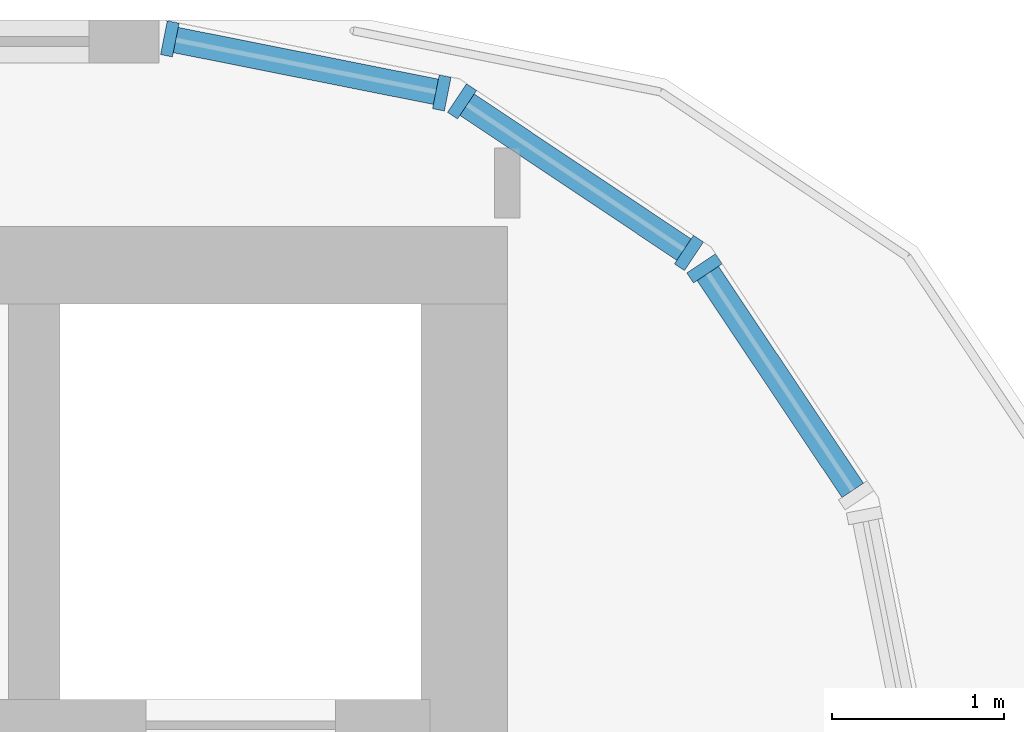
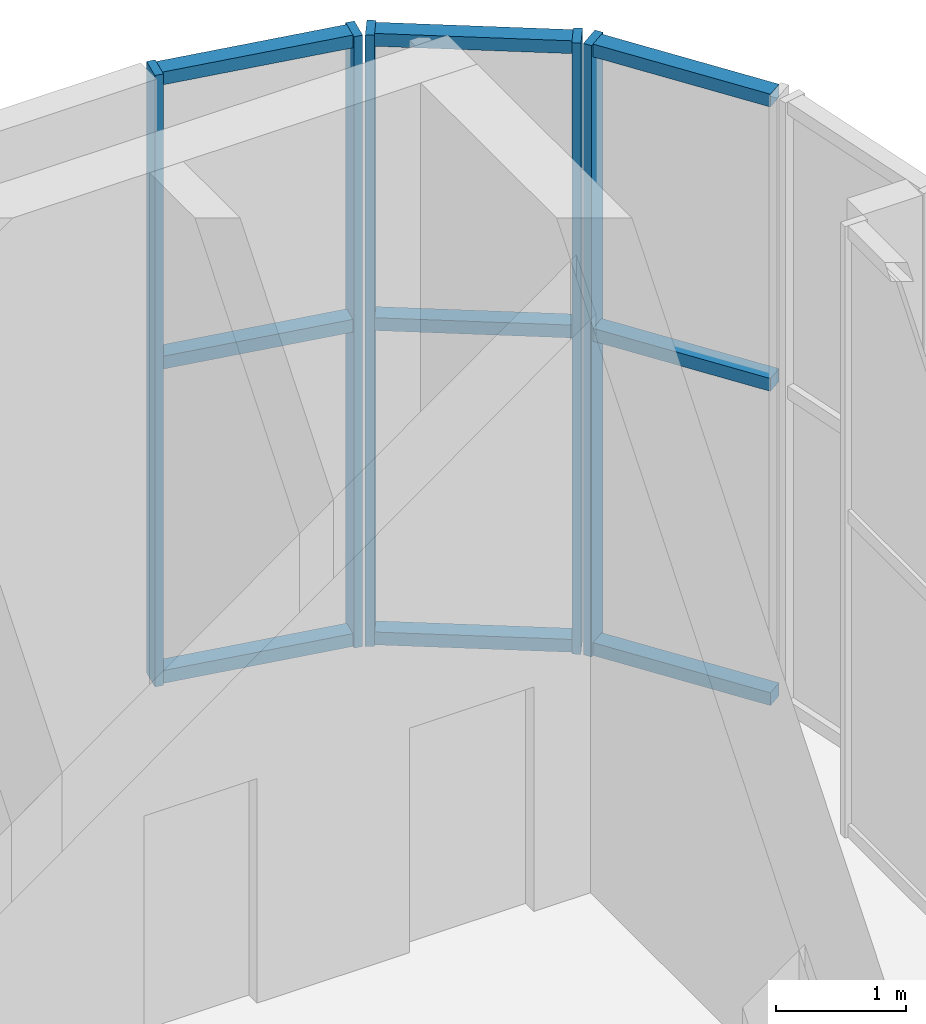
# One storey, part 7 of 20: 14 members, 3 elements without a shape of their own.
"""IFC4 building model written with IfcOpenShell, lengths in metres."""

from ifc_helpers import new_model, si_unit, direction, frame, origin, origin_2d, place, context, subcontext, project, spatial, rectangle, extrude, material, layer, layer_set, material_profile, profile_set, type_object, element, aggregate, save


model = new_model("IFC4")

# Units and contexts
model_context = context("Model", 3, precision=1e-05, world=origin(), true_north=direction((0.0, 1.0)))
body_context = subcontext(model_context, "Body", "Model", "MODEL_VIEW")
ifc_project = project(units=[si_unit("LENGTHUNIT", "METRE"), si_unit("AREAUNIT", "SQUARE_METRE"), si_unit("VOLUMEUNIT", "CUBIC_METRE"), si_unit("PLANEANGLEUNIT", "RADIAN"), si_unit("MASSUNIT", "GRAM", prefix="KILO")], contexts=[model_context])

# Site, building, storey
site_placement = place(None, origin())
site = spatial("IfcSite", under=ifc_project, at=site_placement, CompositionType="ELEMENT")
building_placement = place(site_placement, origin())
building = spatial("IfcBuilding", under=site, at=building_placement, Name="Torana Hotel and Residences", CompositionType="ELEMENT")
storey_placement = place(building_placement, frame((0.0, 0.0, 177.60009765625)))
storey = spatial("IfcBuildingStorey", under=building, at=storey_placement, Name="L46", CompositionType="ELEMENT", Elevation=177.60009765625)

# Curtain wall, member
ifc_material_1 = material(Name="Dark anodised aluminium", Category="aluminium")
ifc_layer = layer(ifc_material_1, 0.199951171875)
ifc_layer_set = layer_set([ifc_layer], Name="CW2 SKY LOBBY UNITISED CURTAIN WALL")
curtain_wall_type = type_object("IfcCurtainWallType", Name="CW2 SKY LOBBY UNITISED CURTAIN WALL", PredefinedType="NOTDEFINED", material=ifc_layer_set)
curtain_wall_1_placement = place(storey_placement, origin())
curtain_wall_1 = element("IfcCurtainWall", 1, at=curtain_wall_1_placement, inside=storey, type_object=curtain_wall_type, Name="Curtain wall CW2 L46 e0.1-1", PredefinedType="NOTDEFINED")
ifc_material_2 = material(Name="Dark anodised aluminium", Category="aluminium")
ifc_material_profile_1 = material_profile(ifc_material_2, rectangle(XDim=0.199951171875, YDim=0.070068359375, at=origin_2d()), Name="CW2 MULLION 70x200")
ifc_profile_set_1 = profile_set([ifc_material_profile_1], Name="Dark anodised aluminium")
member_type_1 = type_object("IfcMemberType", Name="CW2 MULLION 70x200", PredefinedType="MULLION", material=ifc_profile_set_1)
member_1_placement = place(storey_placement, frame((25.64599609375, -0.243896484375, 0.0), z_axis=(0.0, 0.0, 1.0), x_axis=(-0.831473968618, -0.555563713278, 0.0)))
member_1 = element("IfcMember", 2, at=member_1_placement, type_object=member_type_1, Name="CW2 mullion 2", PredefinedType="MULLION", context=body_context, shape_type="SweptSolid", body=[
    extrude(rectangle(XDim=0.199951171875, YDim=0.070068359375, at=origin_2d()), origin(), (0.0, 0.0, 1.0), 5.719970703125),
])

# Curtain wall, members
curtain_wall_2_placement = place(storey_placement, origin())
curtain_wall_2 = element("IfcCurtainWall", 3, at=curtain_wall_2_placement, inside=storey, type_object=curtain_wall_type, Name="Curtain wall CW2 L46 e0.2-1", PredefinedType="NOTDEFINED")
member_2_placement = place(storey_placement, frame((25.555908203125, -0.154052734375, 0.0), z_axis=(0.0, 0.0, 1.0), x_axis=(-0.555563713278, -0.831473968618, 0.0)))
member_2 = element("IfcMember", 4, at=member_2_placement, type_object=member_type_1, Name="CW2 mullion 1", PredefinedType="MULLION", context=body_context, shape_type="SweptSolid", body=[
    extrude(rectangle(XDim=0.199951171875, YDim=0.070068359375, at=origin_2d()), origin(), (0.0, 0.0, 1.0), 5.719970703125),
])
member_3_placement = place(storey_placement, frame((24.237060546875, 0.727294921875, 0.0), z_axis=(0.0, 0.0, 1.0), x_axis=(-0.555563713278, -0.831473968618, 0.0)))
member_3 = element("IfcMember", 5, at=member_3_placement, type_object=member_type_1, Name="CW2 mullion 2", PredefinedType="MULLION", context=body_context, shape_type="SweptSolid", body=[
    extrude(rectangle(XDim=0.199951171875, YDim=0.070068359375, at=origin_2d()), origin(), (0.0, 0.0, 1.0), 5.719970703125),
])

curtain_wall_3_placement = place(storey_placement, origin())
curtain_wall_3 = element("IfcCurtainWall", 6, at=curtain_wall_3_placement, inside=storey, type_object=curtain_wall_type, Name="Curtain wall CW2 L46 e0.3-1", PredefinedType="NOTDEFINED")
member_4_placement = place(storey_placement, frame((24.119384765625, 0.77587890625, 0.0), z_axis=(0.0, 0.0, 1.0), x_axis=(-0.195063848566, -0.980790545928, 0.0)))
member_4 = element("IfcMember", 7, at=member_4_placement, type_object=member_type_1, Name="CW2 mullion 1", PredefinedType="MULLION", context=body_context, shape_type="SweptSolid", body=[
    extrude(rectangle(XDim=0.199951171875, YDim=0.070068359375, at=origin_2d()), origin(), (0.0, 0.0, 1.0), 5.719970703125),
])
member_5_placement = place(storey_placement, frame((22.538818359375, 1.09033203125, 0.0), z_axis=(0.0, 0.0, 1.0), x_axis=(-0.195063848566, -0.980790545928, 0.0)))
member_5 = element("IfcMember", 8, at=member_5_placement, type_object=member_type_1, Name="CW2 mullion 2", PredefinedType="MULLION", context=body_context, shape_type="SweptSolid", body=[
    extrude(rectangle(XDim=0.199951171875, YDim=0.070068359375, at=origin_2d()), origin(), (0.0, 0.0, 1.0), 5.719970703125),
])

# Member
ifc_material_3 = material(Name="Dark anodised aluminium", Category="aluminium")
ifc_material_profile_2 = material_profile(ifc_material_3, rectangle(XDim=0.14990234375, YDim=0.1201171875, at=origin_2d()), Name="CW2 TRANSOM 150x120")
ifc_profile_set_2 = profile_set([ifc_material_profile_2], Name="Dark anodised aluminium")
member_type_2 = type_object("IfcMemberType", Name="CW2 TRANSOM 150x120", PredefinedType="USERDEFINED", material=ifc_profile_set_2)
member_6_placement = place(storey_placement, frame((26.5078125, -1.533935546875, 0.059814453125), z_axis=(-0.555628726357, 0.831430525328, 0.0), x_axis=(-0.831430525328, -0.555628726357, 0.0)))
member_6 = element("IfcMember", 9, at=member_6_placement, type_object=member_type_2, Name="CW2 transom 1.1", ObjectType="TRANSOM", PredefinedType="USERDEFINED", context=body_context, shape_type="SweptSolid", body=[
    extrude(rectangle(XDim=0.14990234375, YDim=0.1201171875, at=origin_2d()), origin(), (0.0, 0.0, 1.0), 1.516357421875),
])

member_7_placement = place(storey_placement, frame((26.5078125, -1.533935546875, 3.0), z_axis=(-0.555628726357, 0.831430525328, 0.0), x_axis=(-0.831430525328, -0.555628726357, 0.0)))
member_7 = element("IfcMember", 10, at=member_7_placement, type_object=member_type_2, Name="CW2 transom 1.2", ObjectType="TRANSOM", PredefinedType="USERDEFINED", context=body_context, shape_type="SweptSolid", body=[
    extrude(rectangle(XDim=0.14990234375, YDim=0.1201171875, at=origin_2d()), origin(), (0.0, 0.0, 1.0), 1.516357421875),
])

member_8_placement = place(storey_placement, frame((26.5078125, -1.533935546875, 5.659912109375), z_axis=(-0.555628726357, 0.831430525328, 0.0), x_axis=(-0.831430525328, -0.555628726357, 0.0)))
member_8 = element("IfcMember", 11, at=member_8_placement, type_object=member_type_2, Name="CW2 transom 1.3", ObjectType="TRANSOM", PredefinedType="USERDEFINED", context=body_context, shape_type="SweptSolid", body=[
    extrude(rectangle(XDim=0.14990234375, YDim=0.1201171875, at=origin_2d()), origin(), (0.0, 0.0, 1.0), 1.516357421875),
])

aggregate(curtain_wall_1, [member_1, member_6, member_7, member_8])

member_9_placement = place(storey_placement, frame((25.52685546875, -0.134521484375, 0.059814453125), z_axis=(-0.83150490354, 0.555517412319, 0.0), x_axis=(-0.555517412319, -0.83150490354, 0.0)))
member_9 = element("IfcMember", 12, at=member_9_placement, type_object=member_type_2, Name="CW2 transom 1.1", ObjectType="TRANSOM", PredefinedType="USERDEFINED", context=body_context, shape_type="SweptSolid", body=[
    extrude(rectangle(XDim=0.14990234375, YDim=0.1201171875, at=origin_2d()), origin(), (0.0, 0.0, 1.0), 1.51611328125),
])

member_10_placement = place(storey_placement, frame((25.52685546875, -0.134521484375, 3.0), z_axis=(-0.83150490354, 0.555517412319, 0.0), x_axis=(-0.555517412319, -0.83150490354, 0.0)))
member_10 = element("IfcMember", 13, at=member_10_placement, type_object=member_type_2, Name="CW2 transom 1.2", ObjectType="TRANSOM", PredefinedType="USERDEFINED", context=body_context, shape_type="SweptSolid", body=[
    extrude(rectangle(XDim=0.14990234375, YDim=0.1201171875, at=origin_2d()), origin(), (0.0, 0.0, 1.0), 1.51611328125),
])

member_11_placement = place(storey_placement, frame((25.52685546875, -0.134521484375, 5.659912109375), z_axis=(-0.83150490354, 0.555517412319, 0.0), x_axis=(-0.555517412319, -0.83150490354, 0.0)))
member_11 = element("IfcMember", 14, at=member_11_placement, type_object=member_type_2, Name="CW2 transom 1.3", ObjectType="TRANSOM", PredefinedType="USERDEFINED", context=body_context, shape_type="SweptSolid", body=[
    extrude(rectangle(XDim=0.14990234375, YDim=0.1201171875, at=origin_2d()), origin(), (0.0, 0.0, 1.0), 1.51611328125),
])

aggregate(curtain_wall_2, [member_2, member_3, member_9, member_10, member_11])

member_12_placement = place(storey_placement, frame((24.085205078125, 0.78271484375, 0.059814453125), z_axis=(-0.980781167848, 0.19511099609, 0.0), x_axis=(-0.19511099609, -0.980781167848, 0.0)))
member_12 = element("IfcMember", 15, at=member_12_placement, type_object=member_type_2, Name="CW2 transom 1.1", ObjectType="TRANSOM", PredefinedType="USERDEFINED", context=body_context, shape_type="SweptSolid", body=[
    extrude(rectangle(XDim=0.14990234375, YDim=0.1201171875, at=origin_2d()), origin(), (0.0, 0.0, 1.0), 1.54150390625),
])

member_13_placement = place(storey_placement, frame((24.085205078125, 0.78271484375, 3.0), z_axis=(-0.980781167848, 0.19511099609, 0.0), x_axis=(-0.19511099609, -0.980781167848, 0.0)))
member_13 = element("IfcMember", 16, at=member_13_placement, type_object=member_type_2, Name="CW2 transom 1.2", ObjectType="TRANSOM", PredefinedType="USERDEFINED", context=body_context, shape_type="SweptSolid", body=[
    extrude(rectangle(XDim=0.14990234375, YDim=0.1201171875, at=origin_2d()), origin(), (0.0, 0.0, 1.0), 1.54150390625),
])

member_14_placement = place(storey_placement, frame((24.085205078125, 0.78271484375, 5.659912109375), z_axis=(-0.980781167848, 0.19511099609, 0.0), x_axis=(-0.19511099609, -0.980781167848, 0.0)))
member_14 = element("IfcMember", 17, at=member_14_placement, type_object=member_type_2, Name="CW2 transom 1.3", ObjectType="TRANSOM", PredefinedType="USERDEFINED", context=body_context, shape_type="SweptSolid", body=[
    extrude(rectangle(XDim=0.14990234375, YDim=0.1201171875, at=origin_2d()), origin(), (0.0, 0.0, 1.0), 1.54150390625),
])

aggregate(curtain_wall_3, [member_4, member_5, member_12, member_13, member_14])

save(model, "model.ifc")
